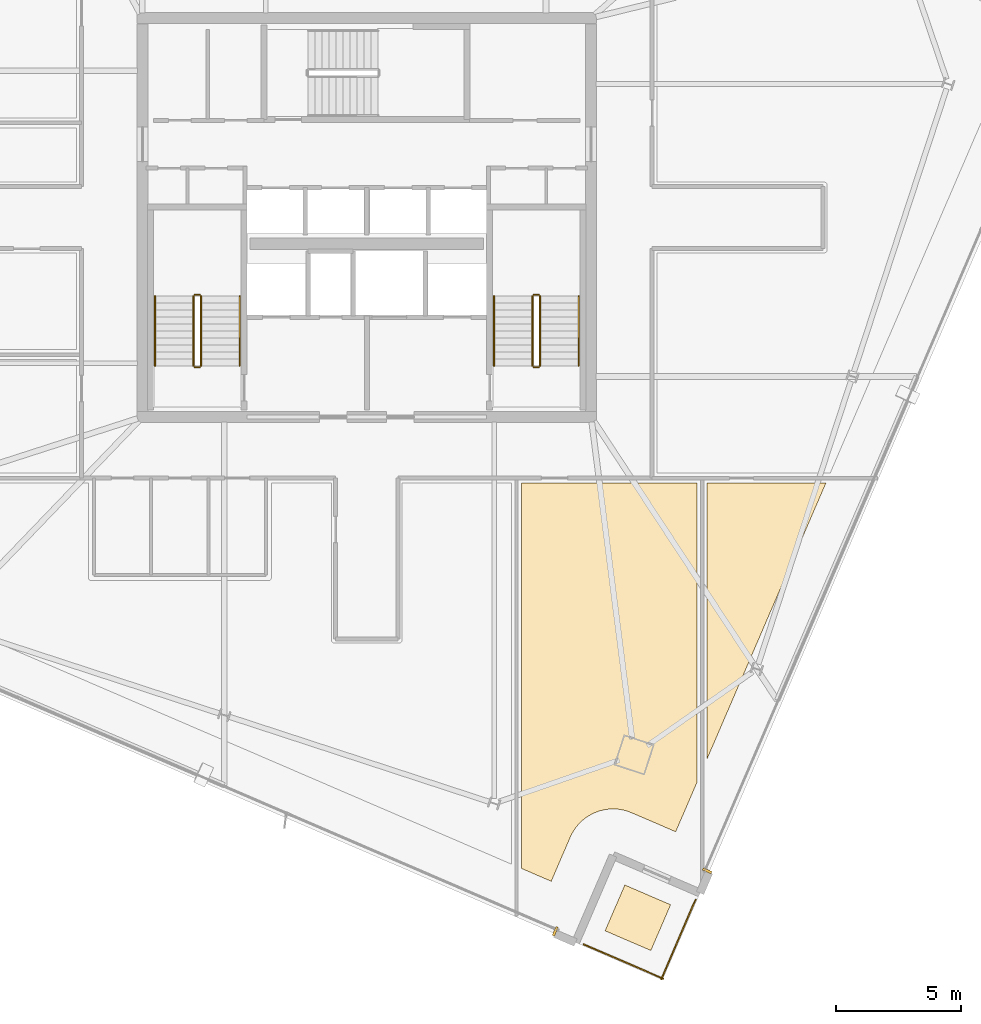
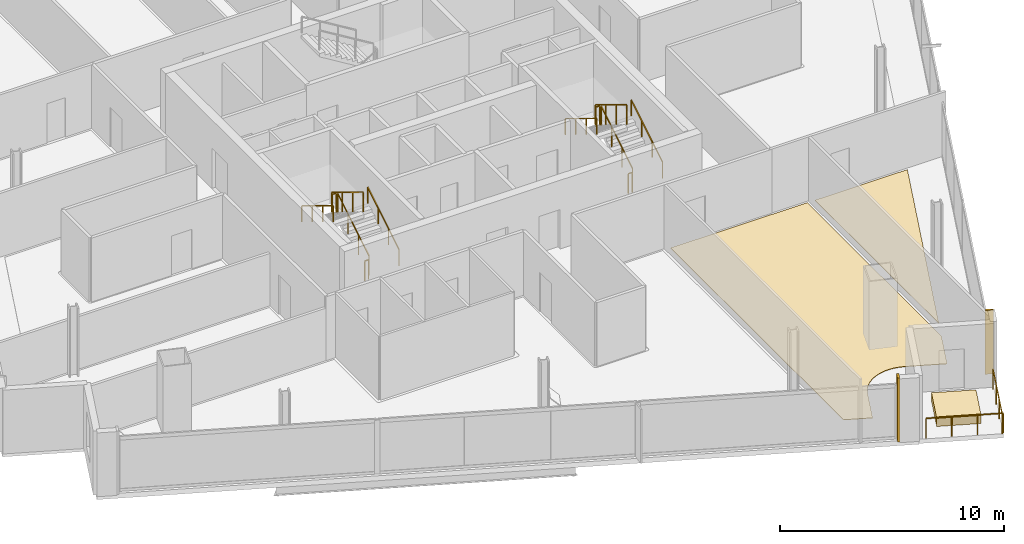
# One storey, part 25 of 28: 14 railings, 5 coverings.
"""IFC4 building model written with IfcOpenShell, lengths in metres."""

from ifc_helpers import new_model, si_unit, direction, frame, origin, origin_2d, place, context, subcontext, project, spatial, polyline, rectangle, outline, extrude, source, transform, mapped, material, layer, layer_set, type_object, element, save


model = new_model("IFC4")

# Units and contexts
model_context = context("Model", 3, precision=1e-05, world=origin(), true_north=direction((0.0, 1.0)))
body_context = subcontext(model_context, "Body", "Model", "MODEL_VIEW")
ifc_project = project(units=[si_unit("LENGTHUNIT", "METRE"), si_unit("AREAUNIT", "SQUARE_METRE"), si_unit("VOLUMEUNIT", "CUBIC_METRE"), si_unit("PLANEANGLEUNIT", "RADIAN"), si_unit("MASSUNIT", "GRAM", prefix="KILO")], contexts=[model_context])

# Site, building, storey
site_placement = place(None, origin())
site = spatial("IfcSite", under=ifc_project, at=site_placement, CompositionType="ELEMENT")
building_placement = place(site_placement, origin())
building = spatial("IfcBuilding", under=site, at=building_placement, Name="Haldenkirk Collegiate Tower", CompositionType="ELEMENT")
storey_placement = place(building_placement, frame((0.0, 0.0, 252.449951171875)))
storey = spatial("IfcBuildingStorey", under=building, at=storey_placement, Name="L63", CompositionType="ELEMENT", Elevation=252.449951171875)

# Coverings
ifc_material_1 = material(Name="Polished collegiate terrazzo", Category="concrete")
ifc_layer_1 = layer(ifc_material_1, 0.02490234375)
ifc_layer_set_1 = layer_set([ifc_layer_1], Name="Polished collegiate terrazzo")
covering_type_1 = type_object("IfcCoveringType", Name="COV-FLOOR-TERRAZZO", PredefinedType="FLOORING", material=ifc_layer_set_1)
covering_1_placement = place(storey_placement, origin())
element("IfcCovering", 1, at=covering_1_placement, inside=storey, type_object=covering_type_1, Name="L63 academic room finish 02", PredefinedType="FLOORING", context=body_context, shape_type="SweptSolid", body=[
    extrude(outline(polyline([(45.913330078125, 2.273681640625), (45.901611328125, 2.273681640625), (45.72998046875, 2.267578125), (45.718505859375, 2.2666015625), (45.548095703125, 2.243896484375), (45.53662109375, 2.24169921875), (45.369384765625, 2.202392578125), (45.35791015625, 2.19921875), (45.195556640625, 2.1435546875), (45.184814453125, 2.13916015625), (45.0283203125, 2.06787109375), (45.01806640625, 2.0625), (44.869384765625, 1.976318359375), (44.859619140625, 1.969970703125), (44.72021484375, 1.869384765625), (44.7109375, 1.862060546875), (44.582275390625, 1.74853515625), (44.57373046875, 1.740478515625), (44.45654296875, 1.61474609375), (44.448974609375, 1.605712890625), (44.3447265625, 1.46923828125), (44.338134765625, 1.459716796875), (44.247802734375, 1.3134765625), (44.2421875, 1.30322265625), (44.16650390625, 1.14892578125), (44.1640625, 1.143798828125), (43.400634765625, -0.62890625), (42.199951171875, -0.11181640625), (42.199951171875, 15.35009765625), (49.25, 15.35009765625), (49.25, 3.34619140625), (48.393798828125, 1.358154296875), (46.62109375, 2.12158203125), (46.61572265625, 2.123779296875), (46.454833984375, 2.183837890625), (46.443603515625, 2.1875), (46.277587890625, 2.2314453125), (46.26611328125, 2.23388671875), (46.0966796875, 2.261474609375), (46.084716796875, 2.2626953125), (45.913330078125, 2.273681640625)])), origin(), (0.0, 0.0, 1.0), 0.025146484375),
])
ifc_material_2 = material(Name="Engineered collegiate oak acoustic flooring", Category="wood")
ifc_layer_2 = layer(ifc_material_2, 0.02197265625)
ifc_layer_set_2 = layer_set([ifc_layer_2], Name="Engineered collegiate oak acoustic flooring")
covering_type_2 = type_object("IfcCoveringType", Name="COV-FLOOR-TIMBER", PredefinedType="FLOORING", material=ifc_layer_set_2)
covering_2_placement = place(storey_placement, origin())
element("IfcCovering", 2, at=covering_2_placement, inside=storey, type_object=covering_type_2, Name="L63 academic room finish 03", PredefinedType="FLOORING", context=body_context, shape_type="SweptSolid", body=[
    extrude(outline(polyline([(49.64990234375, 4.27490234375), (49.64990234375, 15.35009765625), (54.419677734375, 15.35009765625), (49.64990234375, 4.27490234375)])), origin(), (0.0, 0.0, 1.0), 0.02197265625),
])
ifc_material_3 = material(Name="Precast concrete f'c 40 MPa", Category="concrete")
ifc_layer_3 = layer(ifc_material_3, 0.449951171875)
ifc_layer_set_3 = layer_set([ifc_layer_3], Name="Precast concrete f'c 40 MPa")
covering_type_3 = type_object("IfcCoveringType", Name="COV-PLANTER-450", PredefinedType="USERDEFINED", material=ifc_layer_set_3)
covering_3_placement = place(storey_placement, origin())
element("IfcCovering", 3, at=covering_3_placement, inside=storey, type_object=covering_type_3, Name="L63 planted garden planter bed", ObjectType="PLANTER", PredefinedType="USERDEFINED", context=body_context, shape_type="SweptSolid", body=[
    extrude(outline(polyline([(47.39794921875, -3.406494140625), (45.56103515625, -2.615478515625), (46.35205078125, -0.778564453125), (48.18896484375, -1.569580078125), (47.39794921875, -3.406494140625)])), origin(), (0.0, 0.0, 1.0), 0.449951171875),
])

# Railings
ifc_material_4 = material(Name="Painted architectural tubular steel", Category="steel")
railing_type_1 = type_object("IfcRailingType", Name="RLG-STAIR-GUARD-1100", PredefinedType="BALUSTRADE", material=ifc_material_4)
railing_1_placement = place(storey_placement, frame((29.35009765625, 20.050048828125, 0.17041015625)))
element("IfcRailing", 4, at=railing_1_placement, inside=storey, type_object=railing_type_1, Name="L63 ST-1 stair guard 1", PredefinedType="BALUSTRADE", context=body_context, shape_type="SweptSolid", body=[
    extrude(rectangle(XDim=0.048095703125, YDim=0.048095703125, at=origin_2d()), frame((0.0, 0.0, 1.076171875), z_axis=(0.0, 0.854169791009, 0.51999420009), x_axis=(-1.0, 0.0, 0.0)), (0.0, 0.0, 1.0), 3.278076171875),
    extrude(rectangle(XDim=0.0419921875, YDim=0.0419921875, at=origin_2d()), origin(), (0.0, 0.0, 1.0), 1.052001953125),
    extrude(rectangle(XDim=0.0419921875, YDim=0.0419921875, at=origin_2d()), frame((0.0, 0.933349609375, 0.568115234375)), (0.0, 0.0, 1.0), 1.052001953125),
    extrude(rectangle(XDim=0.0419921875, YDim=0.0419921875, at=origin_2d()), frame((0.0, 1.86669921875, 1.136474609375)), (0.0, 0.0, 1.0), 1.052001953125),
    extrude(rectangle(XDim=0.0419921875, YDim=0.0419921875, at=origin_2d()), frame((0.0, 2.800048828125, 1.70458984375)), (0.0, 0.0, 1.0), 1.052001953125),
])
railing_2_placement = place(storey_placement, frame((29.300048828125, 22.89990234375, 1.875)))
element("IfcRailing", 5, at=railing_2_placement, inside=storey, type_object=railing_type_1, Name="L63 ST-1 stair guard 2", PredefinedType="BALUSTRADE", context=body_context, shape_type="SweptSolid", body=[
    extrude(rectangle(XDim=0.048095703125, YDim=0.048095703125, at=origin_2d()), frame((0.0, 0.0, 1.076171875), z_axis=(-1.0, 0.0, 0.0), x_axis=(0.0, -1.0, 0.0)), (0.0, 0.0, 1.0), 0.199951171875),
    extrude(rectangle(XDim=0.0419921875, YDim=0.0419921875, at=origin_2d()), origin(), (0.0, 0.0, 1.0), 1.052001953125),
    extrude(rectangle(XDim=0.0419921875, YDim=0.0419921875, at=origin_2d()), frame((-0.199951171875, 0.0, 0.0)), (0.0, 0.0, 1.0), 1.052001953125),
])
railing_3_placement = place(storey_placement, frame((29.050048828125, 22.85009765625, 2.04541015625)))
element("IfcRailing", 6, at=railing_3_placement, inside=storey, type_object=railing_type_1, Name="L63 ST-1 stair guard 3", PredefinedType="BALUSTRADE", context=body_context, shape_type="SweptSolid", body=[
    extrude(rectangle(XDim=0.048095703125, YDim=0.048095703125, at=origin_2d()), frame((0.0, 0.0, 1.076171875), z_axis=(0.0, -0.854169791009, 0.51999420009), x_axis=(1.0, 0.0, 0.0)), (0.0, 0.0, 1.0), 3.278076171875),
    extrude(rectangle(XDim=0.0419921875, YDim=0.0419921875, at=origin_2d()), origin(), (0.0, 0.0, 1.0), 1.052001953125),
    extrude(rectangle(XDim=0.0419921875, YDim=0.0419921875, at=origin_2d()), frame((0.0, -0.933349609375, 0.568115234375)), (0.0, 0.0, 1.0), 1.052001953125),
    extrude(rectangle(XDim=0.0419921875, YDim=0.0419921875, at=origin_2d()), frame((0.0, -1.86669921875, 1.136474609375)), (0.0, 0.0, 1.0), 1.052001953125),
    extrude(rectangle(XDim=0.0419921875, YDim=0.0419921875, at=origin_2d()), frame((0.0, -2.800048828125, 1.70458984375)), (0.0, 0.0, 1.0), 1.052001953125),
])
railing_4_placement = place(storey_placement, frame((29.300048828125, 20.0, 0.0)))
element("IfcRailing", 7, at=railing_4_placement, inside=storey, type_object=railing_type_1, Name="L63 ST-1 stair guard 4", PredefinedType="BALUSTRADE", context=body_context, shape_type="SweptSolid", body=[
    extrude(rectangle(XDim=0.048095703125, YDim=0.048095703125, at=origin_2d()), frame((0.0, 0.0, 1.076171875), z_axis=(-1.0, 0.0, 0.0), x_axis=(0.0, -1.0, 0.0)), (0.0, 0.0, 1.0), 0.199951171875),
    extrude(rectangle(XDim=0.0419921875, YDim=0.0419921875, at=origin_2d()), origin(), (0.0, 0.0, 1.0), 1.052001953125),
    extrude(rectangle(XDim=0.0419921875, YDim=0.0419921875, at=origin_2d()), frame((-0.199951171875, 0.0, 0.0)), (0.0, 0.0, 1.0), 1.052001953125),
])
railing_5_placement = place(storey_placement, frame((42.949951171875, 20.050048828125, 0.17041015625)))
element("IfcRailing", 8, at=railing_5_placement, inside=storey, type_object=railing_type_1, Name="L63 ST-2 stair guard 1", PredefinedType="BALUSTRADE", context=body_context, shape_type="SweptSolid", body=[
    extrude(rectangle(XDim=0.048095703125, YDim=0.048095703125, at=origin_2d()), frame((0.0, 0.0, 1.076171875), z_axis=(0.0, 0.854169791009, 0.51999420009), x_axis=(-1.0, 0.0, 0.0)), (0.0, 0.0, 1.0), 3.278076171875),
    extrude(rectangle(XDim=0.0419921875, YDim=0.0419921875, at=origin_2d()), origin(), (0.0, 0.0, 1.0), 1.052001953125),
    extrude(rectangle(XDim=0.0419921875, YDim=0.0419921875, at=origin_2d()), frame((0.0, 0.933349609375, 0.568115234375)), (0.0, 0.0, 1.0), 1.052001953125),
    extrude(rectangle(XDim=0.0419921875, YDim=0.0419921875, at=origin_2d()), frame((0.0, 1.86669921875, 1.136474609375)), (0.0, 0.0, 1.0), 1.052001953125),
    extrude(rectangle(XDim=0.0419921875, YDim=0.0419921875, at=origin_2d()), frame((0.0, 2.800048828125, 1.70458984375)), (0.0, 0.0, 1.0), 1.052001953125),
])
railing_6_placement = place(storey_placement, frame((42.89990234375, 22.89990234375, 1.875)))
element("IfcRailing", 9, at=railing_6_placement, inside=storey, type_object=railing_type_1, Name="L63 ST-2 stair guard 2", PredefinedType="BALUSTRADE", context=body_context, shape_type="SweptSolid", body=[
    extrude(rectangle(XDim=0.048095703125, YDim=0.048095703125, at=origin_2d()), frame((0.0, 0.0, 1.076171875), z_axis=(-1.0, 0.0, 0.0), x_axis=(0.0, -1.0, 0.0)), (0.0, 0.0, 1.0), 0.199951171875),
    extrude(rectangle(XDim=0.0419921875, YDim=0.0419921875, at=origin_2d()), origin(), (0.0, 0.0, 1.0), 1.052001953125),
    extrude(rectangle(XDim=0.0419921875, YDim=0.0419921875, at=origin_2d()), frame((-0.199951171875, 0.0, 0.0)), (0.0, 0.0, 1.0), 1.052001953125),
])
railing_7_placement = place(storey_placement, frame((42.64990234375, 22.85009765625, 2.04541015625)))
element("IfcRailing", 10, at=railing_7_placement, inside=storey, type_object=railing_type_1, Name="L63 ST-2 stair guard 3", PredefinedType="BALUSTRADE", context=body_context, shape_type="SweptSolid", body=[
    extrude(rectangle(XDim=0.048095703125, YDim=0.048095703125, at=origin_2d()), frame((0.0, 0.0, 1.076171875), z_axis=(0.0, -0.854169791009, 0.51999420009), x_axis=(1.0, 0.0, 0.0)), (0.0, 0.0, 1.0), 3.278076171875),
    extrude(rectangle(XDim=0.0419921875, YDim=0.0419921875, at=origin_2d()), origin(), (0.0, 0.0, 1.0), 1.052001953125),
    extrude(rectangle(XDim=0.0419921875, YDim=0.0419921875, at=origin_2d()), frame((0.0, -0.933349609375, 0.568115234375)), (0.0, 0.0, 1.0), 1.052001953125),
    extrude(rectangle(XDim=0.0419921875, YDim=0.0419921875, at=origin_2d()), frame((0.0, -1.86669921875, 1.136474609375)), (0.0, 0.0, 1.0), 1.052001953125),
    extrude(rectangle(XDim=0.0419921875, YDim=0.0419921875, at=origin_2d()), frame((0.0, -2.800048828125, 1.70458984375)), (0.0, 0.0, 1.0), 1.052001953125),
])
railing_8_placement = place(storey_placement, frame((42.89990234375, 20.0, 0.0)))
element("IfcRailing", 11, at=railing_8_placement, inside=storey, type_object=railing_type_1, Name="L63 ST-2 stair guard 4", PredefinedType="BALUSTRADE", context=body_context, shape_type="SweptSolid", body=[
    extrude(rectangle(XDim=0.048095703125, YDim=0.048095703125, at=origin_2d()), frame((0.0, 0.0, 1.076171875), z_axis=(-1.0, 0.0, 0.0), x_axis=(0.0, -1.0, 0.0)), (0.0, 0.0, 1.0), 0.199951171875),
    extrude(rectangle(XDim=0.0419921875, YDim=0.0419921875, at=origin_2d()), origin(), (0.0, 0.0, 1.0), 1.052001953125),
    extrude(rectangle(XDim=0.0419921875, YDim=0.0419921875, at=origin_2d()), frame((-0.199951171875, 0.0, 0.0)), (0.0, 0.0, 1.0), 1.052001953125),
])
railing_type_2 = type_object("IfcRailingType", Name="RLG-STAIR-HANDRAIL-900", PredefinedType="HANDRAIL", material=ifc_material_4)
railing_9_placement = place(storey_placement, frame((30.89990234375, 20.050048828125, 0.17041015625)))
element("IfcRailing", 12, at=railing_9_placement, inside=storey, type_object=railing_type_2, Name="L63 ST-1 stair handrail 1", PredefinedType="HANDRAIL", context=body_context, shape_type="SweptSolid", body=[
    extrude(rectangle(XDim=0.048095703125, YDim=0.048095703125, at=origin_2d()), frame((0.0, 0.0, 0.8759765625), z_axis=(0.0, 0.854169791009, 0.51999420009), x_axis=(-1.0, 0.0, 0.0)), (0.0, 0.0, 1.0), 3.278076171875),
    extrude(rectangle(XDim=0.0419921875, YDim=0.0419921875, at=origin_2d()), origin(), (0.0, 0.0, 1.0), 0.851806640625),
    extrude(rectangle(XDim=0.0419921875, YDim=0.0419921875, at=origin_2d()), frame((0.0, 0.933349609375, 0.568115234375)), (0.0, 0.0, 1.0), 0.851806640625),
    extrude(rectangle(XDim=0.0419921875, YDim=0.0419921875, at=origin_2d()), frame((0.0, 1.86669921875, 1.136474609375)), (0.0, 0.0, 1.0), 0.851806640625),
    extrude(rectangle(XDim=0.0419921875, YDim=0.0419921875, at=origin_2d()), frame((0.0, 2.800048828125, 1.70458984375)), (0.0, 0.0, 1.0), 0.851806640625),
])
railing_10_placement = place(storey_placement, frame((27.5, 22.85009765625, 2.04541015625)))
element("IfcRailing", 13, at=railing_10_placement, inside=storey, type_object=railing_type_2, Name="L63 ST-1 stair handrail 2", PredefinedType="HANDRAIL", context=body_context, shape_type="SweptSolid", body=[
    extrude(rectangle(XDim=0.048095703125, YDim=0.048095703125, at=origin_2d()), frame((0.0, 0.0, 0.8759765625), z_axis=(0.0, -0.854169791009, 0.51999420009), x_axis=(1.0, 0.0, 0.0)), (0.0, 0.0, 1.0), 3.278076171875),
    extrude(rectangle(XDim=0.0419921875, YDim=0.0419921875, at=origin_2d()), origin(), (0.0, 0.0, 1.0), 0.851806640625),
    extrude(rectangle(XDim=0.0419921875, YDim=0.0419921875, at=origin_2d()), frame((0.0, -0.933349609375, 0.568115234375)), (0.0, 0.0, 1.0), 0.851806640625),
    extrude(rectangle(XDim=0.0419921875, YDim=0.0419921875, at=origin_2d()), frame((0.0, -1.86669921875, 1.136474609375)), (0.0, 0.0, 1.0), 0.851806640625),
    extrude(rectangle(XDim=0.0419921875, YDim=0.0419921875, at=origin_2d()), frame((0.0, -2.800048828125, 1.70458984375)), (0.0, 0.0, 1.0), 0.851806640625),
])
railing_11_placement = place(storey_placement, frame((44.5, 20.050048828125, 0.17041015625)))
element("IfcRailing", 14, at=railing_11_placement, inside=storey, type_object=railing_type_2, Name="L63 ST-2 stair handrail 1", PredefinedType="HANDRAIL", context=body_context, shape_type="SweptSolid", body=[
    extrude(rectangle(XDim=0.048095703125, YDim=0.048095703125, at=origin_2d()), frame((0.0, 0.0, 0.8759765625), z_axis=(0.0, 0.854169791009, 0.51999420009), x_axis=(-1.0, 0.0, 0.0)), (0.0, 0.0, 1.0), 3.278076171875),
    extrude(rectangle(XDim=0.0419921875, YDim=0.0419921875, at=origin_2d()), origin(), (0.0, 0.0, 1.0), 0.851806640625),
    extrude(rectangle(XDim=0.0419921875, YDim=0.0419921875, at=origin_2d()), frame((0.0, 0.933349609375, 0.568115234375)), (0.0, 0.0, 1.0), 0.851806640625),
    extrude(rectangle(XDim=0.0419921875, YDim=0.0419921875, at=origin_2d()), frame((0.0, 1.86669921875, 1.136474609375)), (0.0, 0.0, 1.0), 0.851806640625),
    extrude(rectangle(XDim=0.0419921875, YDim=0.0419921875, at=origin_2d()), frame((0.0, 2.800048828125, 1.70458984375)), (0.0, 0.0, 1.0), 0.851806640625),
])
railing_12_placement = place(storey_placement, frame((41.10009765625, 22.85009765625, 2.04541015625)))
element("IfcRailing", 15, at=railing_12_placement, inside=storey, type_object=railing_type_2, Name="L63 ST-2 stair handrail 2", PredefinedType="HANDRAIL", context=body_context, shape_type="SweptSolid", body=[
    extrude(rectangle(XDim=0.048095703125, YDim=0.048095703125, at=origin_2d()), frame((0.0, 0.0, 0.8759765625), z_axis=(0.0, -0.854169791009, 0.51999420009), x_axis=(1.0, 0.0, 0.0)), (0.0, 0.0, 1.0), 3.278076171875),
    extrude(rectangle(XDim=0.0419921875, YDim=0.0419921875, at=origin_2d()), origin(), (0.0, 0.0, 1.0), 0.851806640625),
    extrude(rectangle(XDim=0.0419921875, YDim=0.0419921875, at=origin_2d()), frame((0.0, -0.933349609375, 0.568115234375)), (0.0, 0.0, 1.0), 0.851806640625),
    extrude(rectangle(XDim=0.0419921875, YDim=0.0419921875, at=origin_2d()), frame((0.0, -1.86669921875, 1.136474609375)), (0.0, 0.0, 1.0), 0.851806640625),
    extrude(rectangle(XDim=0.0419921875, YDim=0.0419921875, at=origin_2d()), frame((0.0, -2.800048828125, 1.70458984375)), (0.0, 0.0, 1.0), 0.851806640625),
])
ifc_material_5 = material(Name="Anodised architectural bronze aluminium", Category="aluminium")
railing_type_3 = type_object("IfcRailingType", Name="RLG-TERR-BALUSTRADE-1100", PredefinedType="BALUSTRADE", material=ifc_material_5)
railing_13_placement = place(storey_placement, frame((47.8134765625, -4.5654296875, 0.0)))
element("IfcRailing", 16, at=railing_13_placement, inside=storey, type_object=railing_type_3, Name="L63 terrace guard balustrade 1-1", PredefinedType="BALUSTRADE", context=body_context, shape_type="SweptSolid", body=[
    extrude(rectangle(XDim=0.048095703125, YDim=0.048095703125, at=origin_2d()), frame((0.0, 0.0, 1.076171875), z_axis=(0.395552882096, 0.918443203179, 0.0), x_axis=(-0.918443203179, 0.395552882096, 0.0)), (0.0, 0.0, 1.0), 3.479736328125),
    extrude(rectangle(XDim=0.0419921875, YDim=0.0419921875, at=origin_2d()), origin(), (0.0, 0.0, 1.0), 1.052001953125),
    extrude(rectangle(XDim=0.0419921875, YDim=0.0419921875, at=origin_2d()), frame((0.458740234375, 1.0654296875, 0.0)), (0.0, 0.0, 1.0), 1.052001953125),
    extrude(rectangle(XDim=0.0419921875, YDim=0.0419921875, at=origin_2d()), frame((0.917724609375, 2.130615234375, 0.0)), (0.0, 0.0, 1.0), 1.052001953125),
    extrude(rectangle(XDim=0.0419921875, YDim=0.0419921875, at=origin_2d()), frame((1.37646484375, 3.196044921875, 0.0)), (0.0, 0.0, 1.0), 1.052001953125),
])
railing_14_placement = place(storey_placement, frame((44.696044921875, -3.15771484375, 0.0)))
element("IfcRailing", 17, at=railing_14_placement, inside=storey, type_object=railing_type_3, Name="L63 terrace guard balustrade 4-1", PredefinedType="BALUSTRADE", context=body_context, shape_type="SweptSolid", body=[
    extrude(rectangle(XDim=0.048095703125, YDim=0.048095703125, at=origin_2d()), frame((0.0, 0.0, 1.076171875), z_axis=(0.918443203179, -0.395552882096, 0.0), x_axis=(0.395552882096, 0.918443203179, 0.0)), (0.0, 0.0, 1.0), 3.479736328125),
    extrude(rectangle(XDim=0.0419921875, YDim=0.0419921875, at=origin_2d()), origin(), (0.0, 0.0, 1.0), 1.052001953125),
    extrude(rectangle(XDim=0.0419921875, YDim=0.0419921875, at=origin_2d()), frame((1.0654296875, -0.458740234375, 0.0)), (0.0, 0.0, 1.0), 1.052001953125),
    extrude(rectangle(XDim=0.0419921875, YDim=0.0419921875, at=origin_2d()), frame((2.130615234375, -0.917724609375, 0.0)), (0.0, 0.0, 1.0), 1.052001953125),
    extrude(rectangle(XDim=0.0419921875, YDim=0.0419921875, at=origin_2d()), frame((3.196044921875, -1.37646484375, 0.0)), (0.0, 0.0, 1.0), 1.052001953125),
])

# Coverings
ifc_layer_4 = layer(ifc_material_5, 0.06005859375)
ifc_layer_set_4 = layer_set([ifc_layer_4], Name="Anodised architectural bronze aluminium")
covering_type_4 = type_object("IfcCoveringType", Name="COV-CLAD-BRONZE-60", PredefinedType="CLADDING", material=ifc_layer_set_4)
shared_shape = source(origin(), body_context, "Body", "SweptSolid", [
    extrude(rectangle(XDim=0.10009765625, YDim=0.3798828125, at=origin_2d()), origin(), (0.0, 0.0, 1.0), 3.47998046875),
])
for number, where, z_axis, x_axis, name in (
    (18, (49.65673828125, -0.209228515625, 0.0), (0.0, 0.0, 1.0), (-0.395545502563, -0.918446381343, 0.0), "L63 recessed curtain-wall bronze jamb closure SJR"),
    (19, (43.559814453125, -2.635498046875, 0.0), (0.0, 0.0, 1.0), (-0.918446381343, 0.395545502563, 0.0), "L63 recessed curtain-wall bronze jamb closure WJL"),
):
    element("IfcCovering", number, at=place(storey_placement, frame(where, z_axis=z_axis, x_axis=x_axis)), inside=storey, type_object=covering_type_4, Name=name, PredefinedType="CLADDING", context=body_context, shape_type="MappedRepresentation", body=[
        mapped(shared_shape, transform((0.0, 0.0, 0.0), x_axis=(1.0, 0.0, 0.0), y_axis=(0.0, 1.0, 0.0), z_axis=(0.0, 0.0, 1.0), scale=1.0)),
    ])

save(model, "model.ifc")
